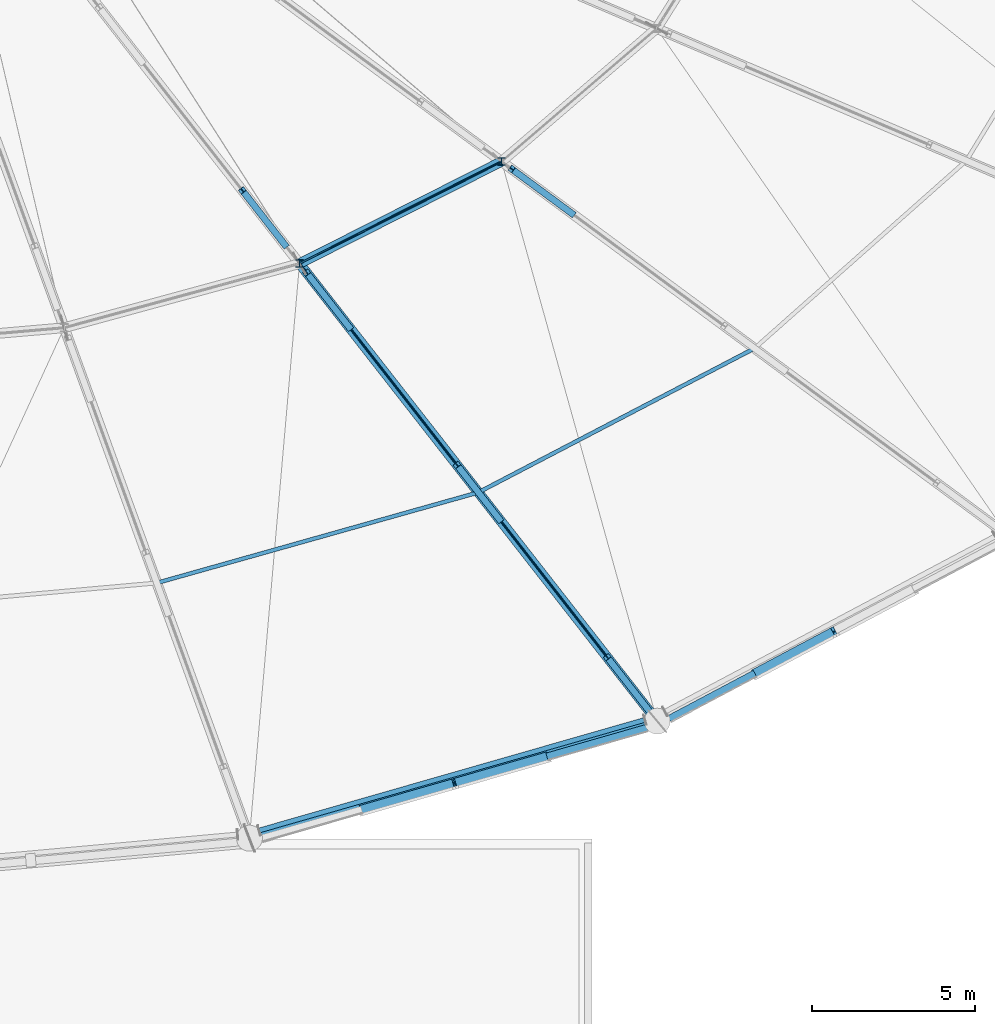
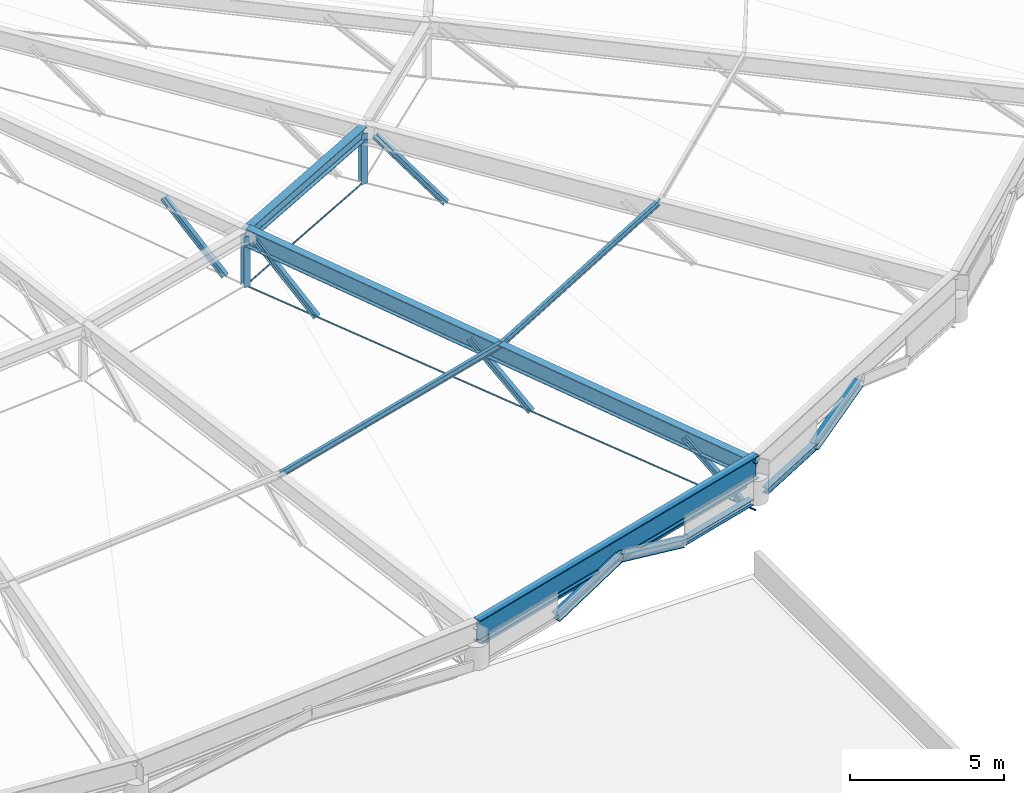
# One storey, part 6 of 83: 11 members, 9 beams.
"""IFC4 building model written with IfcOpenShell, lengths in metres."""

from ifc_helpers import new_model, si_unit, direction, frame, origin, origin_2d, place, context, subcontext, project, spatial, hollow_rectangle, circle, i_section, extrude, material, material_profile, profile_set, type_object, element, save


model = new_model("IFC4")

# Units and contexts
model_context = context("Model", 3, precision=1e-05, world=origin(), true_north=direction((0.0, 1.0)))
body_context = subcontext(model_context, "Body", "Model", "MODEL_VIEW")
ifc_project = project(units=[si_unit("LENGTHUNIT", "METRE"), si_unit("AREAUNIT", "SQUARE_METRE"), si_unit("VOLUMEUNIT", "CUBIC_METRE"), si_unit("PLANEANGLEUNIT", "RADIAN"), si_unit("MASSUNIT", "GRAM", prefix="KILO")], contexts=[model_context])

# Site, building, storey
site_placement = place(None, origin())
site = spatial("IfcSite", under=ifc_project, at=site_placement, CompositionType="ELEMENT")
building_placement = place(site_placement, origin())
building = spatial("IfcBuilding", under=site, at=building_placement, Name="Kivolera Central Railway Station", CompositionType="ELEMENT")
storey_placement = place(building_placement, frame((0.0, 0.0, 14.39990234375)))
storey = spatial("IfcBuildingStorey", under=building, at=storey_placement, Name="L03", CompositionType="ELEMENT", Elevation=14.39990234375)

# Beams
ifc_material_1 = material(Name="Steel S355", Category="steel")
ifc_material_profile_1 = material_profile(ifc_material_1, hollow_rectangle(XDim=0.14990234375, YDim=0.300048828125, WallThickness=0.012451171875, at=origin_2d()), Name="RHS 300x150x12.5")
ifc_profile_set_1 = profile_set([ifc_material_profile_1], Name="Steel S355")
beam_type_1 = type_object("IfcBeamType", Name="BM-ARCH-HOOD", PredefinedType="SPANDREL", material=ifc_profile_set_1)
beam_1_placement = place(storey_placement, frame((77.760009765625, 55.464111328125, 0.735107421875), z_axis=(0.961253150651, 0.275667155033, 0.0), x_axis=(-0.275667155033, 0.961253150651, 0.0)))
element("IfcBeam", 1, at=beam_1_placement, inside=storey, type_object=beam_type_1, Name="Lantern Spandrel Hood Beam 20", PredefinedType="SPANDREL", context=body_context, shape_type="SweptSolid", body=[
    extrude(hollow_rectangle(XDim=0.14990234375, YDim=0.300048828125, WallThickness=0.012451171875, at=origin_2d()), origin(), (0.0, 0.0, 1.0), 12.3369140625),
])
ifc_material_profile_2 = material_profile(ifc_material_1, i_section(OverallWidth=0.300048828125, OverallDepth=0.699951171875, WebThickness=0.01708984375, FlangeThickness=0.031982421875, FilletRadius=0.027099609375, at=origin_2d()), Name="HEB 700")
ifc_profile_set_2 = profile_set([ifc_material_profile_2], Name="Steel S355")
beam_type_2 = type_object("IfcBeamType", Name="BM-DRB-HEB700", PredefinedType="BEAM", material=ifc_profile_set_2)
beam_2_placement = place(storey_placement, frame((90.0, 58.822998046875, 1.18017578125), z_axis=(-0.596376430402, 0.762982212751, 0.249385838184), x_axis=(-0.787875774428, -0.61583420177, 0.0)))
element("IfcBeam", 2, at=beam_2_placement, inside=storey, type_object=beam_type_2, Name="Oval Dome Radial Arch Rib Outer Segment DRB1-21", PredefinedType="BEAM", context=body_context, shape_type="SweptSolid", body=[
    extrude(i_section(OverallWidth=0.300048828125, OverallDepth=0.699951171875, WebThickness=0.01708984375, FlangeThickness=0.031982421875, FilletRadius=0.027099609375, at=origin_2d()), origin(), (0.0, 0.0, 1.0), 18.44482421875),
])
ifc_material_profile_3 = material_profile(ifc_material_1, i_section(OverallWidth=0.300048828125, OverallDepth=0.5, WebThickness=0.014404296875, FlangeThickness=0.028076171875, FilletRadius=0.027099609375, at=origin_2d()), Name="HEB 500")
ifc_profile_set_3 = profile_set([ifc_material_profile_3], Name="Steel S355")
beam_type_3 = type_object("IfcBeamType", Name="BM-HRG-HEB500", PredefinedType="BEAM", material=ifc_profile_set_3)
beam_3_placement = place(storey_placement, frame((79.0, 72.89599609375, 5.780029296875), z_axis=(0.892553489172, 0.450941536085, 0.0), x_axis=(-0.450941536085, 0.892553489172, 0.0)))
element("IfcBeam", 3, at=beam_3_placement, inside=storey, type_object=beam_type_3, Name="Oval Dome Outer Hoop Ring Beam HRG1-21", PredefinedType="BEAM", context=body_context, shape_type="SweptSolid", body=[
    extrude(i_section(OverallWidth=0.300048828125, OverallDepth=0.5, WebThickness=0.014404296875, FlangeThickness=0.028076171875, FilletRadius=0.027099609375, at=origin_2d()), origin(), (0.0, 0.0, 1.0), 6.960693359375),
])
ifc_material_profile_4 = material_profile(ifc_material_1, i_section(OverallWidth=0.300048828125, OverallDepth=0.300048828125, WebThickness=0.010986328125, FlangeThickness=0.01904296875, FilletRadius=0.027099609375, at=origin_2d()), Name="HEB 300")
ifc_profile_set_4 = profile_set([ifc_material_profile_4], Name="Steel S355")
beam_type_4 = type_object("IfcBeamType", Name="BM-LANT-ARCH", PredefinedType="SPANDREL", material=ifc_profile_set_4)
beam_4_placement = place(storey_placement, frame((80.9169921875, 56.093994140625, 0.16015625), z_axis=(0.919725683626, 0.263680469647, 0.290821726846), x_axis=(-0.275592325369, 0.96127460707, 0.0)))
element("IfcBeam", 4, at=beam_4_placement, inside=storey, type_object=beam_type_4, Name="Oval Lantern Structural Arch Rib 20.3", PredefinedType="SPANDREL", context=body_context, shape_type="SweptSolid", body=[
    extrude(i_section(OverallWidth=0.300048828125, OverallDepth=0.300048828125, WebThickness=0.010986328125, FlangeThickness=0.01904296875, FilletRadius=0.027099609375, at=origin_2d()), origin(), (0.0, 0.0, 1.0), 3.09423828125),
])
beam_5_placement = place(storey_placement, frame((83.762939453125, 56.909912109375, 1.06005859375), z_axis=(0.919706547271, 0.263753880718, -0.290815675838), x_axis=(-0.275668522884, 0.961252758379, 0.0)))
element("IfcBeam", 5, at=beam_5_placement, inside=storey, type_object=beam_type_4, Name="Oval Lantern Structural Arch Rib 20.4", PredefinedType="SPANDREL", context=body_context, shape_type="SweptSolid", body=[
    extrude(i_section(OverallWidth=0.300048828125, OverallDepth=0.300048828125, WebThickness=0.010986328125, FlangeThickness=0.01904296875, FilletRadius=0.027099609375, at=origin_2d()), origin(), (0.0, 0.0, 1.0), 3.094482421875),
])
beam_6_placement = place(storey_placement, frame((93.007080078125, 60.283935546875, 0.16015625), z_axis=(0.839369949803, 0.44624944668, 0.310353860465), x_axis=(-0.469429350258, 0.882970036364, 0.0)))
element("IfcBeam", 6, at=beam_6_placement, inside=storey, type_object=beam_type_4, Name="Oval Lantern Structural Arch Rib 21.3", PredefinedType="SPANDREL", context=body_context, shape_type="SweptSolid", body=[
    extrude(i_section(OverallWidth=0.300048828125, OverallDepth=0.300048828125, WebThickness=0.010986328125, FlangeThickness=0.01904296875, FilletRadius=0.027099609375, at=origin_2d()), origin(), (0.0, 0.0, 1.0), 2.899658203125),
])
ifc_material_profile_5 = material_profile(ifc_material_1, i_section(OverallWidth=0.239990234375, OverallDepth=0.22998046875, WebThickness=0.007568359375, FlangeThickness=0.011962890625, FilletRadius=0.02099609375, at=origin_2d()), Name="HEA 240")
ifc_profile_set_5 = profile_set([ifc_material_profile_5], Name="Steel S355")
beam_type_5 = type_object("IfcBeamType", Name="BM-LANT-HTIE", PredefinedType="SPANDREL", material=ifc_profile_set_5)
beam_7_placement = place(storey_placement, frame((86.60888671875, 57.72607421875, 0.16015625), z_axis=(0.961262114071, 0.275635897612, 0.0), x_axis=(-0.275635897612, 0.961262114071, 0.0)))
element("IfcBeam", 7, at=beam_7_placement, inside=storey, type_object=beam_type_5, Name="Lantern Arch Spandrel Haunch Tie 20R", PredefinedType="SPANDREL", context=body_context, shape_type="SweptSolid", body=[
    extrude(i_section(OverallWidth=0.239990234375, OverallDepth=0.22998046875, WebThickness=0.007568359375, FlangeThickness=0.011962890625, FilletRadius=0.02099609375, at=origin_2d()), origin(), (0.0, 0.0, 1.0), 3.207275390625),
])
beam_8_placement = place(storey_placement, frame((90.3701171875, 58.884033203125, 0.16015625), z_axis=(0.883252264421, 0.468898109822, 0.0), x_axis=(-0.468898109822, 0.883252264421, 0.0)))
element("IfcBeam", 8, at=beam_8_placement, inside=storey, type_object=beam_type_5, Name="Lantern Arch Spandrel Haunch Tie 21L", PredefinedType="SPANDREL", context=body_context, shape_type="SweptSolid", body=[
    extrude(i_section(OverallWidth=0.239990234375, OverallDepth=0.22998046875, WebThickness=0.007568359375, FlangeThickness=0.011962890625, FilletRadius=0.02099609375, at=origin_2d()), origin(), (0.0, 0.0, 1.0), 2.985595703125),
])
ifc_material_profile_6 = material_profile(ifc_material_1, i_section(OverallWidth=0.300048828125, OverallDepth=0.89990234375, WebThickness=0.0185546875, FlangeThickness=0.034912109375, FilletRadius=0.030029296875, at=origin_2d()), Name="HEB 900")
ifc_profile_set_6 = profile_set([ifc_material_profile_6], Name="Steel S355")
beam_type_6 = type_object("IfcBeamType", Name="BM-ORB-HEB900", PredefinedType="BEAM", material=ifc_profile_set_6)
beam_9_placement = place(storey_placement, frame((77.458984375, 55.22705078125, 1.35009765625), z_axis=(0.961264358362, 0.275628070673, 0.0), x_axis=(-0.275628070673, 0.961264358362, 0.0)))
element("IfcBeam", 9, at=beam_9_placement, inside=storey, type_object=beam_type_6, Name="Oval Dome Compression Ring Beam ORB-20", PredefinedType="BEAM", context=body_context, shape_type="SweptSolid", body=[
    extrude(i_section(OverallWidth=0.300048828125, OverallDepth=0.89990234375, WebThickness=0.0185546875, FlangeThickness=0.034912109375, FilletRadius=0.030029296875, at=origin_2d()), origin(), (0.0, 0.0, 1.0), 13.04638671875),
])

# Members
ifc_material_2 = material(Name="Spiral strand steel S460", Category="steel")
ifc_material_profile_7 = material_profile(ifc_material_2, circle(Radius=0.02392578125, at=origin_2d()), Name="CABLE D48")
ifc_profile_set_7 = profile_set([ifc_material_profile_7], Name="Spiral strand steel S460")
member_type_1 = type_object("IfcMemberType", Name="MEM-CABLE-D48", PredefinedType="USERDEFINED", material=ifc_profile_set_7)
member_1_placement = place(storey_placement, frame((79.0, 72.89599609375, 3.780029296875), z_axis=(0.892553489172, 0.450941536085, 0.0), x_axis=(-0.450941536085, 0.892553489172, 0.0)))
element("IfcMember", 10, at=member_1_placement, inside=storey, type_object=member_type_1, Name="Dome Hoop Tension Cable HC1-21", ObjectType="TENSION_CABLE", PredefinedType="USERDEFINED", context=body_context, shape_type="SweptSolid", body=[
    extrude(circle(Radius=0.02392578125, at=origin_2d()), origin(), (0.0, 0.0, 1.0), 6.960693359375),
])
ifc_material_profile_8 = material_profile(ifc_material_2, circle(Radius=0.031982421875, at=origin_2d()), Name="CABLE D64")
ifc_profile_set_8 = profile_set([ifc_material_profile_8], Name="Spiral strand steel S460")
member_type_2 = type_object("IfcMemberType", Name="MEM-CABLE-D64", PredefinedType="USERDEFINED", material=ifc_profile_set_8)
member_2_placement = place(storey_placement, frame((90.0, 58.822998046875, -0.449951171875), z_axis=(-0.599259744519, 0.766671019472, 0.23044154682), x_axis=(-0.787875774428, -0.61583420177, 0.0)))
element("IfcMember", 11, at=member_2_placement, inside=storey, type_object=member_type_2, Name="Dome Radial Spiral-Strand Tension Cable RC1-21", ObjectType="TENSION_CABLE", PredefinedType="USERDEFINED", context=body_context, shape_type="SweptSolid", body=[
    extrude(circle(Radius=0.031982421875, at=origin_2d()), origin(), (0.0, 0.0, 1.0), 18.35595703125),
])
ifc_material_profile_9 = material_profile(ifc_material_1, i_section(OverallWidth=0.1201171875, OverallDepth=0.239990234375, WebThickness=0.006103515625, FlangeThickness=0.009765625, FilletRadius=0.014892578125, at=origin_2d()), Name="IPE 240")
ifc_profile_set_9 = profile_set([ifc_material_profile_9], Name="Steel S355")
member_type_3 = type_object("IfcMemberType", Name="MEM-PUR-IPE240", PredefinedType="PURLIN", material=ifc_profile_set_9)
member_3_placement = place(storey_placement, frame((74.612060546875, 63.074951171875, 3.775146484375), z_axis=(0.962575989737, 0.271011925902, 0.0), x_axis=(-0.271011925902, 0.962575989737, 0.0)))
element("IfcMember", 12, at=member_3_placement, inside=storey, type_object=member_type_3, Name="Dome Outer Hoop Purlin DPUR1-20", PredefinedType="PURLIN", context=body_context, shape_type="SweptSolid", body=[
    extrude(i_section(OverallWidth=0.1201171875, OverallDepth=0.239990234375, WebThickness=0.006103515625, FlangeThickness=0.009765625, FilletRadius=0.014892578125, at=origin_2d()), origin(), (0.0, 0.0, 1.0), 10.2724609375),
])
member_4_placement = place(storey_placement, frame((84.5, 65.85888671875, 3.775146484375), z_axis=(0.886560303413, 0.462613043928, 0.0), x_axis=(-0.462613043928, 0.886560303413, 0.0)))
element("IfcMember", 13, at=member_4_placement, inside=storey, type_object=member_type_3, Name="Dome Outer Hoop Purlin DPUR1-21", PredefinedType="PURLIN", context=body_context, shape_type="SweptSolid", body=[
    extrude(i_section(OverallWidth=0.1201171875, OverallDepth=0.239990234375, WebThickness=0.006103515625, FlangeThickness=0.009765625, FilletRadius=0.014892578125, at=origin_2d()), origin(), (0.0, 0.0, 1.0), 9.57861328125),
])
ifc_material_profile_10 = material_profile(ifc_material_1, i_section(OverallWidth=0.239990234375, OverallDepth=0.22998046875, WebThickness=0.007568359375, FlangeThickness=0.011962890625, FilletRadius=0.02099609375, at=origin_2d()), Name="HEA 240")
ifc_profile_set_10 = profile_set([ifc_material_profile_10], Name="Steel S355")
member_type_4 = type_object("IfcMemberType", Name="MEM-RAF-HEA240", PredefinedType="STRUT", material=ifc_profile_set_10)
for number, where, z_axis, x_axis, name in (
    (14, (79.0, 72.89599609375, 3.780029296875), (0.0, 0.0, 1.0), (1.0, 0.0, 0.0), "Dome Ring Spreader Post DP1-21"),
    (15, (85.212890625, 76.034912109375, 3.780029296875), (0.0, 0.0, 1.0), (1.0, 0.0, 0.0), "Dome Ring Spreader Post DP1-22"),
):
    element("IfcMember", number, at=place(storey_placement, frame(where, z_axis=z_axis, x_axis=x_axis)), inside=storey, type_object=member_type_4, Name=name, PredefinedType="STRUT", context=body_context, shape_type="SweptSolid", body=[
        extrude(i_section(OverallWidth=0.239990234375, OverallDepth=0.22998046875, WebThickness=0.007568359375, FlangeThickness=0.011962890625, FilletRadius=0.02099609375, at=origin_2d()), origin(), (0.0, 0.0, 1.0), 2.0),
    ])
ifc_material_profile_11 = material_profile(ifc_material_1, i_section(OverallWidth=0.199951171875, OverallDepth=0.199951171875, WebThickness=0.009033203125, FlangeThickness=0.014892578125, FilletRadius=0.01806640625, at=origin_2d()), Name="HEB 200")
ifc_profile_set_11 = profile_set([ifc_material_profile_11], Name="Steel S355")
member_type_5 = type_object("IfcMemberType", Name="MEM-RAF-HEB200", PredefinedType="RAFTER", material=ifc_profile_set_11)
member_5_placement = place(storey_placement, frame((89.780029296875, 59.10400390625, -0.364990234375), z_axis=(-0.43083807308, 0.551236876192, 0.71450434646), x_axis=(-0.787896583564, -0.615807578394, 0.0)))
element("IfcMember", 16, at=member_5_placement, inside=storey, type_object=member_type_5, Name="Dome Radial Truss Raking Web DWEB1-21.1", PredefinedType="RAFTER", context=body_context, shape_type="SweptSolid", body=[
    extrude(i_section(OverallWidth=0.199951171875, OverallDepth=0.199951171875, WebThickness=0.009033203125, FlangeThickness=0.014892578125, FilletRadius=0.01806640625, at=origin_2d()), origin(), (0.0, 0.0, 1.0), 3.06396484375),
])
member_6_placement = place(storey_placement, frame((85.159912109375, 65.014892578125, 1.4111328125), z_axis=(-0.415412014592, 0.531675125594, 0.7380748058), x_axis=(-0.787995020105, -0.61568161276, 0.0)))
element("IfcMember", 17, at=member_6_placement, inside=storey, type_object=member_type_5, Name="Dome Radial Truss Raking Web DWEB1-21.2", PredefinedType="RAFTER", context=body_context, shape_type="SweptSolid", body=[
    extrude(i_section(OverallWidth=0.199951171875, OverallDepth=0.199951171875, WebThickness=0.009033203125, FlangeThickness=0.014892578125, FilletRadius=0.01806640625, at=origin_2d()), origin(), (0.0, 0.0, 1.0), 3.17724609375),
])
member_7_placement = place(storey_placement, frame((80.5400390625, 70.926025390625, 3.18798828125), z_axis=(-0.400846397607, 0.512863950184, 0.759139469483), x_axis=(-0.787896583564, -0.615807578394, 0.0)))
element("IfcMember", 18, at=member_7_placement, inside=storey, type_object=member_type_5, Name="Dome Radial Truss Raking Web DWEB1-21.3", PredefinedType="RAFTER", context=body_context, shape_type="SweptSolid", body=[
    extrude(i_section(OverallWidth=0.199951171875, OverallDepth=0.199951171875, WebThickness=0.009033203125, FlangeThickness=0.014892578125, FilletRadius=0.01806640625, at=origin_2d()), origin(), (0.0, 0.0, 1.0), 3.293212890625),
])
member_8_placement = place(storey_placement, frame((78.56005859375, 73.458984375, 3.964111328125), z_axis=(-0.396077804274, 0.506762761229, 0.765711353444), x_axis=(-0.787896583564, -0.615807578394, 0.0)))
element("IfcMember", 19, at=member_8_placement, inside=storey, type_object=member_type_5, Name="Dome Inner Truss Raking Web DWEB2-21.1", PredefinedType="RAFTER", context=body_context, shape_type="SweptSolid", body=[
    extrude(i_section(OverallWidth=0.199951171875, OverallDepth=0.199951171875, WebThickness=0.009033203125, FlangeThickness=0.014892578125, FilletRadius=0.01806640625, at=origin_2d()), origin(), (0.0, 0.0, 1.0), 3.332763671875),
])
member_9_placement = place(storey_placement, frame((87.39111328125, 74.426025390625, 3.18798828125), z_axis=(-0.547334742737, 0.404203272356, 0.732833128351), x_axis=(-0.59405978192, -0.804420894498, 0.0)))
element("IfcMember", 20, at=member_9_placement, inside=storey, type_object=member_type_5, Name="Dome Radial Truss Raking Web DWEB1-22.3", PredefinedType="RAFTER", context=body_context, shape_type="SweptSolid", body=[
    extrude(i_section(OverallWidth=0.199951171875, OverallDepth=0.199951171875, WebThickness=0.009033203125, FlangeThickness=0.014892578125, FilletRadius=0.01806640625, at=origin_2d()), origin(), (0.0, 0.0, 1.0), 3.411376953125),
])

save(model, "model.ifc")
